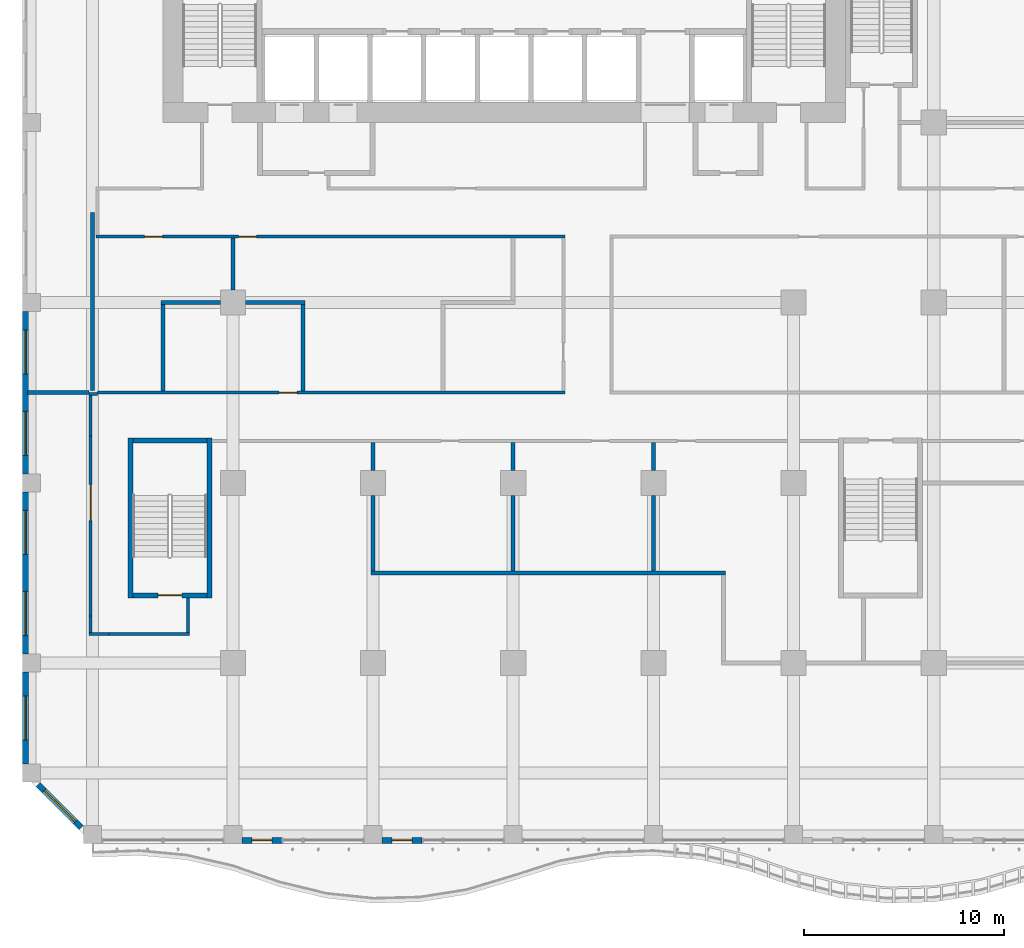
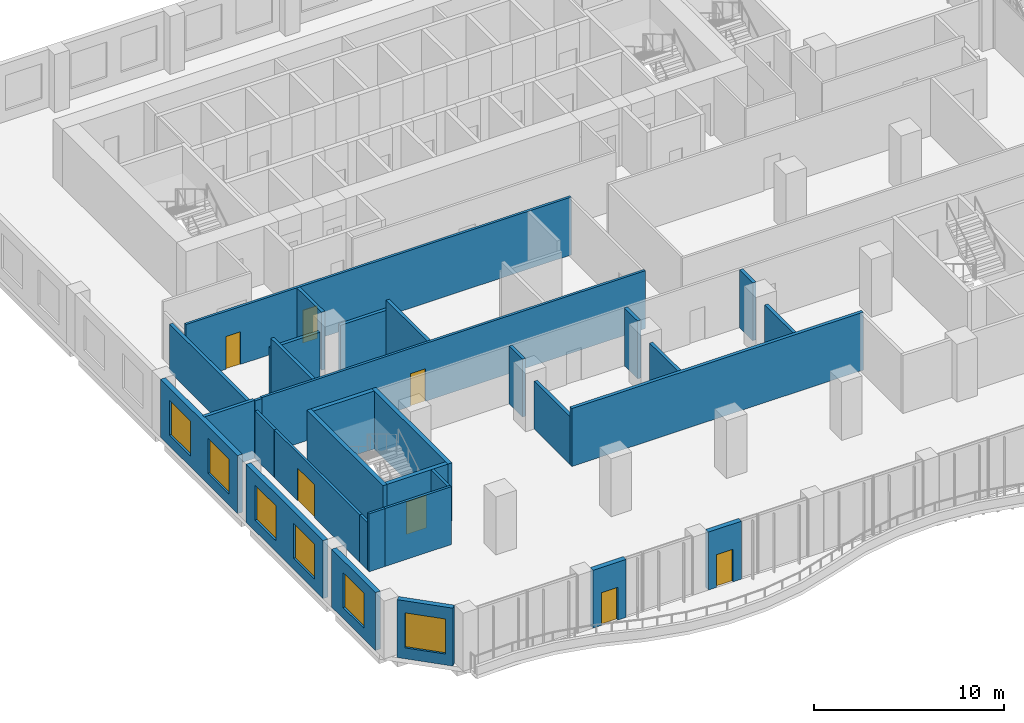
# One storey, part 10 of 25: 33 walls, 7 doors, 6 windows, 13 openings.
"""IFC4 building model written with IfcOpenShell, lengths in metres."""

from ifc_helpers import new_model, si_unit, direction, frame, frame_2d, origin, place, context, subcontext, project, spatial, rectangle, extrude, source, transform, mapped, material, layer, layer_set, type_object, element, fill, save


model = new_model("IFC4")

# Units and contexts
model_context = context("Model", 3, precision=1e-05, world=origin(), true_north=direction((0.0, 1.0)))
body_context = subcontext(model_context, "Body", "Model", "MODEL_VIEW")
ifc_project = project(units=[si_unit("LENGTHUNIT", "METRE"), si_unit("AREAUNIT", "SQUARE_METRE"), si_unit("VOLUMEUNIT", "CUBIC_METRE"), si_unit("PLANEANGLEUNIT", "RADIAN"), si_unit("MASSUNIT", "GRAM", prefix="KILO")], contexts=[model_context])

# Site, building, storey
site_placement = place(None, origin())
site = spatial("IfcSite", under=ifc_project, at=site_placement, CompositionType="ELEMENT")
building_placement = place(site_placement, origin())
building = spatial("IfcBuilding", under=site, at=building_placement, Name="Kilnfold Tower and Market Hall", CompositionType="ELEMENT")
storey_placement = place(building_placement, frame((0.0, 0.0, 67.199951171875)))
storey = spatial("IfcBuildingStorey", under=building, at=storey_placement, Name="L15", CompositionType="ELEMENT", Elevation=67.199951171875)

# Walls
ifc_material_1 = material(Name="Gypsum board on steel studs", Category="steel")
ifc_layer_1 = layer(ifc_material_1, 0.14990234375)
ifc_layer_set_1 = layer_set([ifc_layer_1], Name="Gypsum board on steel studs")
wall_type_1 = type_object("IfcWallType", Name="WALL CORRIDOR 150", PredefinedType="PARTITIONING", material=ifc_layer_set_1)
wall_1_placement = place(storey_placement, frame((-19.25, -5.572998046875, 0.0), z_axis=(0.0, 0.0, 1.0), x_axis=(-1.0, 0.0, 0.0)))
element("IfcWall", 1, at=wall_1_placement, inside=storey, type_object=wall_type_1, Name="Partition LY12.1", PredefinedType="PARTITIONING", context=body_context, shape_type="SweptSolid", body=[
    extrude(rectangle(XDim=0.427001953125, YDim=0.14990234375, at=frame_2d((0.21337890625, 0.0))), origin(), (0.0, 0.0, 1.0), 3.719970703125),
])
wall_2_placement = place(storey_placement, frame((-14.75, -17.47509765625, 0.0), z_axis=(0.0, 0.0, 1.0), x_axis=(0.0, 1.0, 0.0)))
element("IfcWall", 2, at=wall_2_placement, inside=storey, type_object=wall_type_1, Name="Partition LY12.3", PredefinedType="PARTITIONING", context=body_context, shape_type="SweptSolid", body=[
    extrude(rectangle(XDim=1.72509765625, YDim=0.14990234375, at=frame_2d((0.862548828125, 0.0))), origin(), (0.0, 0.0, 1.0), 3.719970703125),
])
wall_3_placement = place(storey_placement, frame((-18.697998046875, -17.550048828125, 0.0), z_axis=(0.0, 0.0, 1.0), x_axis=(1.0, 0.0, 0.0)))
element("IfcWall", 3, at=wall_3_placement, inside=storey, type_object=wall_type_1, Name="Partition LY12.4", PredefinedType="PARTITIONING", context=body_context, shape_type="SweptSolid", body=[
    extrude(rectangle(XDim=4.02294921875, YDim=0.14990234375, at=frame_2d((2.011474609375, 0.0))), origin(), (0.0, 0.0, 1.0), 3.719970703125),
])
wall_4_placement = place(storey_placement, frame((-19.677001953125, -17.552001953125, 0.0), z_axis=(0.0, 0.0, 1.0), x_axis=(1.0, 0.0, 0.0)))
element("IfcWall", 4, at=wall_4_placement, inside=storey, type_object=wall_type_1, Name="Partition LY12.5", PredefinedType="PARTITIONING", context=body_context, shape_type="SweptSolid", body=[
    extrude(rectangle(XDim=0.97900390625, YDim=0.14990234375, at=frame_2d((0.489501953125, 0.0))), origin(), (0.0, 0.0, 1.0), 3.719970703125),
])
wall_5_placement = place(storey_placement, frame((-19.60205078125, -17.47705078125, 0.0), z_axis=(0.0, 0.0, 1.0), x_axis=(0.0, 1.0, 0.0)))
element("IfcWall", 5, at=wall_5_placement, inside=storey, type_object=wall_type_1, Name="Partition LY12.6", PredefinedType="PARTITIONING", context=body_context, shape_type="SweptSolid", body=[
    extrude(rectangle(XDim=0.8291015625, YDim=0.14990234375, at=frame_2d((0.41455078125, 0.0))), origin(), (0.0, 0.0, 1.0), 3.070068359375),
])

# Wall, opening, door
wall_6_placement = place(storey_placement, frame((-19.60009765625, -7.652099609375, 0.0), z_axis=(0.0, 0.0, 1.0), x_axis=(0.0, -1.0, 0.0)))
wall_6 = element("IfcWall", 6, at=wall_6_placement, inside=storey, type_object=wall_type_1, Name="Partition LY12.7", PredefinedType="PARTITIONING", context=body_context, shape_type="SweptSolid", body=[
    extrude(rectangle(XDim=8.995849609375, YDim=0.14990234375, at=frame_2d((4.498046875, 0.0))), origin(), (0.0, 0.0, 1.0), 3.070068359375),
])
opening_1_placement = place(wall_6_placement, frame((2.431884765625, 0.0, 0.0)))
opening_1 = element("IfcOpeningElement", 7, at=opening_1_placement, cuts=wall_6, Name="Opening D5", PredefinedType="OPENING", context=body_context, shape_type="SweptSolid", body=[
    extrude(rectangle(XDim=1.800048828125, YDim=2.10009765625, at=frame_2d((0.89990234375, 1.050048828125))), frame((0.0, 0.0849609375, 0.0), z_axis=(0.0, -1.0, 0.0), x_axis=(1.0, 0.0, 0.0)), (0.0, 0.0, 1.0), 0.169921875),
])
ifc_material_2 = material(Name="Timber veneer door leaf in steel frame", Category="steel")
door_type_1 = type_object("IfcDoorType", Name="DOOR DOUBLE 1800 X2100", OperationType="NOTDEFINED", PredefinedType="DOOR", material=ifc_material_2)
door_1_placement = place(opening_1_placement, origin())
door_1 = element("IfcDoor", 8, at=door_1_placement, inside=storey, type_object=door_type_1, Name="Door D5", OperationType="DOUBLE_DOOR_SINGLE_SWING", OverallHeight=2.10009765625, OverallWidth=1.800048828125, PredefinedType="DOOR", context=body_context, shape_type="SweptSolid", body=[
    extrude(rectangle(XDim=1.800048828125, YDim=2.10009765625, at=frame_2d((0.89990234375, 1.050048828125))), frame((0.0, 0.02490234375, 0.0), z_axis=(0.0, -1.0, 0.0), x_axis=(1.0, 0.0, 0.0)), (0.0, 0.0, 1.0), 0.050048828125),
])
fill(opening_1, door_1)

# Wall
wall_7_placement = place(storey_placement, frame((-19.60205078125, -7.652099609375, 0.0), z_axis=(0.0, 0.0, 1.0), x_axis=(0.0, 1.0, 0.0)))
element("IfcWall", 9, at=wall_7_placement, inside=storey, type_object=wall_type_1, Name="Partition LY12.8", PredefinedType="PARTITIONING", context=body_context, shape_type="SweptSolid", body=[
    extrude(rectangle(XDim=2.004150390625, YDim=0.14990234375, at=frame_2d((1.001953125, 0.0))), origin(), (0.0, 0.0, 1.0), 3.070068359375),
])

# Wall, opening, door
wall_8_placement = place(storey_placement, frame((-19.25, -5.5, 0.0), z_axis=(0.0, 0.0, 1.0), x_axis=(1.0, 0.0, 0.0)))
wall_8 = element("IfcWall", 10, at=wall_8_placement, inside=storey, type_object=wall_type_1, Name="Partition LY12.9", PredefinedType="PARTITIONING", context=body_context, shape_type="SweptSolid", body=[
    extrude(rectangle(XDim=23.324951171875, YDim=0.14990234375, at=frame_2d((11.66259765625, 0.0))), origin(), (0.0, 0.0, 1.0), 3.719970703125),
])
opening_2_placement = place(wall_8_placement, frame((9.06005859375, 0.0, 0.0)))
opening_2 = element("IfcOpeningElement", 11, at=opening_2_placement, cuts=wall_8, Name="Opening D2", PredefinedType="OPENING", context=body_context, shape_type="SweptSolid", body=[
    extrude(rectangle(XDim=0.89990234375, YDim=2.10009765625, at=frame_2d((0.449951171875, 1.050048828125))), frame((0.0, 0.0849609375, 0.0), z_axis=(0.0, -1.0, 0.0), x_axis=(1.0, 0.0, 0.0)), (0.0, 0.0, 1.0), 0.169921875),
])
ifc_material_3 = material(Name="Timber veneer door leaf in steel frame", Category="steel")
door_type_2 = type_object("IfcDoorType", Name="DOOR ROOM 900 X2100", OperationType="NOTDEFINED", PredefinedType="DOOR", material=ifc_material_3)
door_2_placement = place(opening_2_placement, origin())
door_2 = element("IfcDoor", 12, at=door_2_placement, inside=storey, type_object=door_type_2, Name="Door D2", OperationType="SINGLE_SWING_RIGHT", OverallHeight=2.10009765625, OverallWidth=0.89990234375, PredefinedType="DOOR", context=body_context, shape_type="SweptSolid", body=[
    extrude(rectangle(XDim=0.89990234375, YDim=2.10009765625, at=frame_2d((0.449951171875, 1.050048828125))), frame((0.0, 0.02490234375, 0.0), z_axis=(0.0, -1.0, 0.0), x_axis=(1.0, 0.0, 0.0)), (0.0, 0.0, 1.0), 0.050048828125),
])
fill(opening_2, door_2)

# Wall, openings, doors
wall_9_placement = place(storey_placement, frame((-19.324951171875, 2.300048828125, 0.0), z_axis=(0.0, 0.0, 1.0), x_axis=(1.0, 0.0, 0.0)))
wall_9 = element("IfcWall", 13, at=wall_9_placement, inside=storey, type_object=wall_type_1, Name="Partition LY12.10", PredefinedType="PARTITIONING", context=body_context, shape_type="SweptSolid", body=[
    extrude(rectangle(XDim=23.39990234375, YDim=0.14990234375, at=frame_2d((11.699951171875, 0.0))), origin(), (0.0, 0.0, 1.0), 3.719970703125),
])
opening_3_placement = place(wall_9_placement, frame((2.4140625, 0.0, 0.0)))
opening_3 = element("IfcOpeningElement", 14, at=opening_3_placement, cuts=wall_9, Name="Opening D2", PredefinedType="OPENING", context=body_context, shape_type="SweptSolid", body=[
    extrude(rectangle(XDim=0.89990234375, YDim=2.10009765625, at=frame_2d((0.449951171875, 1.050048828125))), frame((0.0, 0.0849609375, 0.0), z_axis=(0.0, -1.0, 0.0), x_axis=(1.0, 0.0, 0.0)), (0.0, 0.0, 1.0), 0.169921875),
])
opening_4_placement = place(wall_9_placement, frame((7.114990234375, 0.0, 0.0)))
opening_4 = element("IfcOpeningElement", 15, at=opening_4_placement, cuts=wall_9, Name="Opening D2", PredefinedType="OPENING", context=body_context, shape_type="SweptSolid", body=[
    extrude(rectangle(XDim=0.89990234375, YDim=2.10009765625, at=frame_2d((0.449951171875, 1.050048828125))), frame((0.0, 0.0849609375, 0.0), z_axis=(0.0, -1.0, 0.0), x_axis=(1.0, 0.0, 0.0)), (0.0, 0.0, 1.0), 0.169921875),
])
door_3_placement = place(opening_3_placement, origin())
door_3 = element("IfcDoor", 16, at=door_3_placement, inside=storey, type_object=door_type_2, Name="Door D2", OperationType="SINGLE_SWING_LEFT", OverallHeight=2.10009765625, OverallWidth=0.89990234375, PredefinedType="DOOR", context=body_context, shape_type="SweptSolid", body=[
    extrude(rectangle(XDim=0.89990234375, YDim=2.10009765625, at=frame_2d((0.449951171875, 1.050048828125))), frame((0.0, 0.02490234375, 0.0), z_axis=(0.0, -1.0, 0.0), x_axis=(1.0, 0.0, 0.0)), (0.0, 0.0, 1.0), 0.050048828125),
])
fill(opening_3, door_3)
door_4_placement = place(opening_4_placement, origin())
door_4 = element("IfcDoor", 17, at=door_4_placement, inside=storey, type_object=door_type_2, Name="Door D2", OperationType="SINGLE_SWING_RIGHT", OverallHeight=2.10009765625, OverallWidth=0.89990234375, PredefinedType="DOOR", context=body_context, shape_type="SweptSolid", body=[
    extrude(rectangle(XDim=0.89990234375, YDim=2.10009765625, at=frame_2d((0.449951171875, 1.050048828125))), frame((0.0, 0.02490234375, 0.0), z_axis=(0.0, -1.0, 0.0), x_axis=(1.0, 0.0, 0.0)), (0.0, 0.0, 1.0), 0.050048828125),
])
fill(opening_4, door_4)

# Walls
ifc_material_4 = material(Name="Gypsum board on steel studs", Category="steel")
ifc_layer_2 = layer(ifc_material_4, 0.199951171875)
ifc_layer_set_2 = layer_set([ifc_layer_2], Name="Gypsum board on steel studs")
wall_type_2 = type_object("IfcWallType", Name="WALL PARTY 200", PredefinedType="PARTITIONING", material=ifc_layer_set_2)
wall_10_placement = place(storey_placement, frame((-19.677001953125, -5.5, 0.0), z_axis=(0.0, 0.0, 1.0), x_axis=(-1.0, 0.0, 0.0)))
element("IfcWall", 18, at=wall_10_placement, inside=storey, type_object=wall_type_2, Name="Partition LY12.30", PredefinedType="PARTITIONING", context=body_context, shape_type="SweptSolid", body=[
    extrude(rectangle(XDim=3.072998046875, YDim=0.199951171875, at=frame_2d((1.53662109375, 0.0))), origin(), (0.0, 0.0, 1.0), 3.719970703125),
])
wall_11_placement = place(storey_placement, frame((-5.5, -9.375, 0.0), z_axis=(0.0, 0.0, 1.0), x_axis=(0.0, 1.0, 0.0)))
element("IfcWall", 19, at=wall_11_placement, inside=storey, type_object=wall_type_2, Name="Partition LY12.31", PredefinedType="PARTITIONING", context=body_context, shape_type="SweptSolid", body=[
    extrude(rectangle(XDim=1.39892578125, YDim=0.199951171875, at=frame_2d((0.699462890625, 0.0))), origin(), (0.0, 0.0, 1.0), 3.719970703125),
])
wall_12_placement = place(storey_placement, frame((-5.5, -14.39990234375, 0.0), z_axis=(0.0, 0.0, 1.0), x_axis=(0.0, 1.0, 0.0)))
element("IfcWall", 20, at=wall_12_placement, inside=storey, type_object=wall_type_2, Name="Partition LY12.32", PredefinedType="PARTITIONING", context=body_context, shape_type="SweptSolid", body=[
    extrude(rectangle(XDim=3.77490234375, YDim=0.199951171875, at=frame_2d((1.887451171875, 0.0))), origin(), (0.0, 0.0, 1.0), 3.070068359375),
])
wall_13_placement = place(storey_placement, frame((-5.60009765625, -14.5, 0.0), z_axis=(0.0, 0.0, 1.0), x_axis=(1.0, 0.0, 0.0)))
element("IfcWall", 21, at=wall_13_placement, inside=storey, type_object=wall_type_2, Name="Partition LY12.33", PredefinedType="PARTITIONING", context=body_context, shape_type="SweptSolid", body=[
    extrude(rectangle(XDim=17.7001953125, YDim=0.199951171875, at=frame_2d((8.85009765625, 0.0))), origin(), (0.0, 0.0, 1.0), 3.719970703125),
])
wall_14_placement = place(storey_placement, frame((-19.5, 3.5, 0.0), z_axis=(0.0, 0.0, 1.0), x_axis=(0.0, -1.0, 0.0)))
element("IfcWall", 22, at=wall_14_placement, inside=storey, type_object=wall_type_2, Name="Partition LY12.38", PredefinedType="PARTITIONING", context=body_context, shape_type="SweptSolid", body=[
    extrude(rectangle(XDim=8.89990234375, YDim=0.199951171875, at=frame_2d((4.449951171875, 0.0))), origin(), (0.0, 0.0, 1.0), 3.070068359375),
])
wall_15_placement = place(storey_placement, frame((-16.10009765625, -1.0, 0.0), z_axis=(0.0, 0.0, 1.0), x_axis=(1.0, 0.0, 0.0)))
element("IfcWall", 23, at=wall_15_placement, inside=storey, type_object=wall_type_2, Name="Partition LY12.39", PredefinedType="PARTITIONING", context=body_context, shape_type="SweptSolid", body=[
    extrude(rectangle(XDim=2.97509765625, YDim=0.199951171875, at=frame_2d((1.487548828125, 0.0))), origin(), (0.0, 0.0, 1.0), 3.070068359375),
])
wall_16_placement = place(storey_placement, frame((-16.0, -5.424072265625, 0.0), z_axis=(0.0, 0.0, 1.0), x_axis=(0.0, 1.0, 0.0)))
element("IfcWall", 24, at=wall_16_placement, inside=storey, type_object=wall_type_2, Name="Partition LY12.40", PredefinedType="PARTITIONING", context=body_context, shape_type="SweptSolid", body=[
    extrude(rectangle(XDim=4.323974609375, YDim=0.199951171875, at=frame_2d((2.162109375, 0.0))), origin(), (0.0, 0.0, 1.0), 3.719970703125),
])
wall_17_placement = place(storey_placement, frame((-12.5, -0.375, 0.0), z_axis=(0.0, 0.0, 1.0), x_axis=(0.0, 1.0, 0.0)))
element("IfcWall", 25, at=wall_17_placement, inside=storey, type_object=wall_type_2, Name="Partition LY12.41", PredefinedType="PARTITIONING", context=body_context, shape_type="SweptSolid", body=[
    extrude(rectangle(XDim=2.59912109375, YDim=0.199951171875, at=frame_2d((1.299560546875, 0.0))), origin(), (0.0, 0.0, 1.0), 3.719970703125),
])
wall_18_placement = place(storey_placement, frame((-9.0, -5.424072265625, 0.0), z_axis=(0.0, 0.0, 1.0), x_axis=(0.0, 1.0, 0.0)))
element("IfcWall", 26, at=wall_18_placement, inside=storey, type_object=wall_type_2, Name="Partition LY12.44", PredefinedType="PARTITIONING", context=body_context, shape_type="SweptSolid", body=[
    extrude(rectangle(XDim=4.323974609375, YDim=0.199951171875, at=frame_2d((2.162109375, 0.0))), origin(), (0.0, 0.0, 1.0), 3.719970703125),
])
wall_19_placement = place(storey_placement, frame((-11.875, -1.0, 0.0), z_axis=(0.0, 0.0, 1.0), x_axis=(1.0, 0.0, 0.0)))
element("IfcWall", 27, at=wall_19_placement, inside=storey, type_object=wall_type_2, Name="Partition LY12.45", PredefinedType="PARTITIONING", context=body_context, shape_type="SweptSolid", body=[
    extrude(rectangle(XDim=2.97509765625, YDim=0.199951171875, at=frame_2d((1.487548828125, 0.0))), origin(), (0.0, 0.0, 1.0), 3.070068359375),
])
wall_20_placement = place(storey_placement, frame((1.5, -9.375, 0.0), z_axis=(0.0, 0.0, 1.0), x_axis=(0.0, 1.0, 0.0)))
element("IfcWall", 28, at=wall_20_placement, inside=storey, type_object=wall_type_2, Name="Partition LY12.49", PredefinedType="PARTITIONING", context=body_context, shape_type="SweptSolid", body=[
    extrude(rectangle(XDim=1.39892578125, YDim=0.199951171875, at=frame_2d((0.699462890625, 0.0))), origin(), (0.0, 0.0, 1.0), 3.719970703125),
])
wall_21_placement = place(storey_placement, frame((1.5, -14.39990234375, 0.0), z_axis=(0.0, 0.0, 1.0), x_axis=(0.0, 1.0, 0.0)))
element("IfcWall", 29, at=wall_21_placement, inside=storey, type_object=wall_type_2, Name="Partition LY12.50", PredefinedType="PARTITIONING", context=body_context, shape_type="SweptSolid", body=[
    extrude(rectangle(XDim=3.77490234375, YDim=0.199951171875, at=frame_2d((1.887451171875, 0.0))), origin(), (0.0, 0.0, 1.0), 3.070068359375),
])
wall_22_placement = place(storey_placement, frame((8.5, -9.375, 0.0), z_axis=(0.0, 0.0, 1.0), x_axis=(0.0, 1.0, 0.0)))
element("IfcWall", 30, at=wall_22_placement, inside=storey, type_object=wall_type_2, Name="Partition LY12.51", PredefinedType="PARTITIONING", context=body_context, shape_type="SweptSolid", body=[
    extrude(rectangle(XDim=1.39892578125, YDim=0.199951171875, at=frame_2d((0.699462890625, 0.0))), origin(), (0.0, 0.0, 1.0), 3.719970703125),
])
wall_23_placement = place(storey_placement, frame((8.5, -14.39990234375, 0.0), z_axis=(0.0, 0.0, 1.0), x_axis=(0.0, 1.0, 0.0)))
element("IfcWall", 31, at=wall_23_placement, inside=storey, type_object=wall_type_2, Name="Partition LY12.52", PredefinedType="PARTITIONING", context=body_context, shape_type="SweptSolid", body=[
    extrude(rectangle(XDim=3.77490234375, YDim=0.199951171875, at=frame_2d((1.887451171875, 0.0))), origin(), (0.0, 0.0, 1.0), 3.070068359375),
])

# Wall, opening, door
ifc_material_5 = material(Name="Concrete C80", Category="concrete")
ifc_layer_3 = layer(ifc_material_5, 0.25)
ifc_layer_set_3 = layer_set([ifc_layer_3], Name="Concrete C80")
wall_type_3 = type_object("IfcWallType", Name="CORE WALL 250 C80", PredefinedType="SHEAR", material=ifc_layer_set_3)
shared_shape_1 = source(origin(), body_context, "Body", "SweptSolid", [
    extrude(rectangle(XDim=3.699951171875, YDim=0.25, at=frame_2d((1.85009765625, 0.0))), origin(), (0.0, 0.0, 1.0), 3.719970703125),
])
wall_24_placement = place(storey_placement, frame((-17.5, -15.625, 0.0), z_axis=(0.0, 0.0, 1.0), x_axis=(1.0, 0.0, 0.0)))
wall_24 = element("IfcWall", 32, at=wall_24_placement, inside=storey, type_object=wall_type_3, Name="Stair enclosure ST3", PredefinedType="SHEAR", context=body_context, shape_type="MappedRepresentation", body=[
    mapped(shared_shape_1, transform((0.0, 0.0, 0.0))),
])
opening_5_placement = place(wall_24_placement, frame((1.25, 0.0, 0.0)))
opening_5 = element("IfcOpeningElement", 33, at=opening_5_placement, cuts=wall_24, Name="Opening SD1", PredefinedType="OPENING", context=body_context, shape_type="SweptSolid", body=[
    extrude(rectangle(XDim=1.199951171875, YDim=2.10009765625, at=frame_2d((0.60009765625, 1.050048828125))), frame((0.0, 0.135009765625, 0.0), z_axis=(0.0, -1.0, 0.0), x_axis=(1.0, 0.0, 0.0)), (0.0, 0.0, 1.0), 0.27001953125),
])
ifc_material_6 = material(Name="Steel door set with fire-resisting leaf", Category="steel")
door_type_3 = type_object("IfcDoorType", Name="STAIR FLOOR DOOR 1200X2100", OperationType="NOTDEFINED", PredefinedType="DOOR", material=ifc_material_6)
door_5_placement = place(opening_5_placement, origin())
door_5 = element("IfcDoor", 34, at=door_5_placement, inside=storey, type_object=door_type_3, Name="Exit stair ST3 door", OperationType="DOUBLE_DOOR_SINGLE_SWING", OverallHeight=2.10009765625, OverallWidth=1.199951171875, PredefinedType="DOOR", context=body_context, shape_type="SweptSolid", body=[
    extrude(rectangle(XDim=1.199951171875, YDim=2.10009765625, at=frame_2d((0.60009765625, 1.050048828125))), frame((0.0, 0.02490234375, 0.0), z_axis=(0.0, -1.0, 0.0), x_axis=(1.0, 0.0, 0.0)), (0.0, 0.0, 1.0), 0.050048828125),
])
fill(opening_5, door_5)

# Walls
wall_25_placement = place(storey_placement, frame((-17.5, -7.875, 0.0), z_axis=(0.0, 0.0, 1.0), x_axis=(1.0, 0.0, 0.0)))
element("IfcWall", 35, at=wall_25_placement, inside=storey, type_object=wall_type_3, Name="Stair enclosure ST3", PredefinedType="SHEAR", context=body_context, shape_type="MappedRepresentation", body=[
    mapped(shared_shape_1, transform((0.0, 0.0, 0.0))),
])
shared_shape_2 = source(origin(), body_context, "Body", "SweptSolid", [
    extrude(rectangle(XDim=8.0, YDim=0.25, at=frame_2d((4.0, 0.0))), origin(), (0.0, 0.0, 1.0), 3.719970703125),
])
for number, where, z_axis, x_axis, name in (
    (36, (-17.625, -15.75, 0.0), (0.0, 0.0, 1.0), (0.0, 1.0, 0.0), "Stair enclosure ST3"),
    (37, (-13.675048828125, -15.75, 0.0), (0.0, 0.0, 1.0), (0.0, 1.0, 0.0), "Stair enclosure ST3"),
):
    element("IfcWall", number, at=place(storey_placement, frame(where, z_axis=z_axis, x_axis=x_axis)), inside=storey, type_object=wall_type_3, Name=name, PredefinedType="SHEAR", context=body_context, shape_type="MappedRepresentation", body=[
        mapped(shared_shape_2, transform((0.0, 0.0, 0.0))),
    ])

# Wall, opening, door
ifc_material_7 = material(Name="Precast concrete C50/60", Category="concrete")
ifc_layer_4 = layer(ifc_material_7, 0.300048828125)
ifc_layer_set_4 = layer_set([ifc_layer_4], Name="Precast concrete C50/60")
wall_type_4 = type_object("IfcWallType", Name="PRECAST WALL 300", PredefinedType="SOLIDWALL", material=ifc_layer_set_4)
shared_shape_3 = source(origin(), body_context, "Body", "SweptSolid", [
    extrude(rectangle(XDim=2.0, YDim=0.300048828125, at=frame_2d((1.0, 0.0))), origin(), (0.0, 0.0, 1.0), 3.719970703125),
])
wall_26_placement = place(storey_placement, frame((-12.050048828125, -27.85009765625, 0.0), z_axis=(0.0, 0.0, 1.0), x_axis=(1.0, 0.0, 0.0)))
wall_26 = element("IfcWall", 38, at=wall_26_placement, inside=storey, type_object=wall_type_4, Name="External wall L15 S", PredefinedType="SOLIDWALL", context=body_context, shape_type="MappedRepresentation", body=[
    mapped(shared_shape_3, transform((0.0, 0.0, 0.0))),
])
opening_6_placement = place(wall_26_placement, frame((0.5, 0.0, 0.0)))
opening_6 = element("IfcOpeningElement", 39, at=opening_6_placement, cuts=wall_26, Name="Opening BD1", PredefinedType="OPENING", context=body_context, shape_type="SweptSolid", body=[
    extrude(rectangle(XDim=1.0, YDim=2.10009765625, at=frame_2d((0.5, 1.050048828125))), frame((0.0, 0.16015625, 0.0), z_axis=(0.0, -1.0, 0.0), x_axis=(1.0, 0.0, 0.0)), (0.0, 0.0, 1.0), 0.320068359375),
])
ifc_material_8 = material(Name="Aluminium frame and double glazing", Category="aluminium")
door_type_4 = type_object("IfcDoorType", Name="BALCONY DOOR 1000X2100", OperationType="NOTDEFINED", PredefinedType="DOOR", material=ifc_material_8)
door_6_placement = place(opening_6_placement, origin())
door_6 = element("IfcDoor", 40, at=door_6_placement, inside=storey, type_object=door_type_4, Name="Balcony door BD1 L15 S-1", OperationType="SINGLE_SWING_LEFT", OverallHeight=2.10009765625, OverallWidth=1.0, PredefinedType="DOOR", context=body_context, shape_type="SweptSolid", body=[
    extrude(rectangle(XDim=1.0, YDim=2.10009765625, at=frame_2d((0.5, 1.050048828125))), frame((0.0, 0.02490234375, 0.0), z_axis=(0.0, -1.0, 0.0), x_axis=(1.0, 0.0, 0.0)), (0.0, 0.0, 1.0), 0.050048828125),
])
fill(opening_6, door_6)

wall_27_placement = place(storey_placement, frame((-5.050048828125, -27.85009765625, 0.0), z_axis=(0.0, 0.0, 1.0), x_axis=(1.0, 0.0, 0.0)))
wall_27 = element("IfcWall", 41, at=wall_27_placement, inside=storey, type_object=wall_type_4, Name="External wall L15 S", PredefinedType="SOLIDWALL", context=body_context, shape_type="MappedRepresentation", body=[
    mapped(shared_shape_3, transform((0.0, 0.0, 0.0))),
])
opening_7_placement = place(wall_27_placement, frame((0.5, 0.0, 0.0)))
opening_7 = element("IfcOpeningElement", 42, at=opening_7_placement, cuts=wall_27, Name="Opening BD1", PredefinedType="OPENING", context=body_context, shape_type="SweptSolid", body=[
    extrude(rectangle(XDim=1.0, YDim=2.10009765625, at=frame_2d((0.5, 1.050048828125))), frame((0.0, 0.16015625, 0.0), z_axis=(0.0, -1.0, 0.0), x_axis=(1.0, 0.0, 0.0)), (0.0, 0.0, 1.0), 0.320068359375),
])
door_7_placement = place(opening_7_placement, origin())
door_7 = element("IfcDoor", 43, at=door_7_placement, inside=storey, type_object=door_type_4, Name="Balcony door BD1 L15 S-1", OperationType="SINGLE_SWING_LEFT", OverallHeight=2.10009765625, OverallWidth=1.0, PredefinedType="DOOR", context=body_context, shape_type="SweptSolid", body=[
    extrude(rectangle(XDim=1.0, YDim=2.10009765625, at=frame_2d((0.5, 1.050048828125))), frame((0.0, 0.02490234375, 0.0), z_axis=(0.0, -1.0, 0.0), x_axis=(1.0, 0.0, 0.0)), (0.0, 0.0, 1.0), 0.050048828125),
])
fill(opening_7, door_7)

# Wall, openings, windows
shared_shape_4 = source(origin(), body_context, "Body", "SweptSolid", [
    extrude(rectangle(XDim=8.10009765625, YDim=0.300048828125, at=frame_2d((4.050048828125, 0.0))), origin(), (0.0, 0.0, 1.0), 3.719970703125),
])
wall_28_placement = place(storey_placement, frame((-22.85009765625, -1.449951171875, 0.0), z_axis=(0.0, 0.0, 1.0), x_axis=(0.0, -1.0, 0.0)))
wall_28 = element("IfcWall", 44, at=wall_28_placement, inside=storey, type_object=wall_type_4, Name="External wall L15 W", PredefinedType="SOLIDWALL", context=body_context, shape_type="MappedRepresentation", body=[
    mapped(shared_shape_4, transform((0.0, 0.0, 0.0))),
])
opening_8_placement = place(wall_28_placement, frame((0.925048828125, 0.0, 0.699951171875)))
opening_8 = element("IfcOpeningElement", 45, at=opening_8_placement, cuts=wall_28, Name="Opening W1", PredefinedType="OPENING", context=body_context, shape_type="SweptSolid", body=[
    extrude(rectangle(XDim=2.199951171875, YDim=2.25, at=frame_2d((1.10009765625, 1.125))), frame((0.0, 0.16015625, 0.0), z_axis=(0.0, -1.0, 0.0), x_axis=(1.0, 0.0, 0.0)), (0.0, 0.0, 1.0), 0.320068359375),
])
opening_9_placement = place(wall_28_placement, frame((4.97509765625, 0.0, 0.699951171875)))
opening_9 = element("IfcOpeningElement", 46, at=opening_9_placement, cuts=wall_28, Name="Opening W1", PredefinedType="OPENING", context=body_context, shape_type="SweptSolid", body=[
    extrude(rectangle(XDim=2.199951171875, YDim=2.25, at=frame_2d((1.10009765625, 1.125))), frame((0.0, 0.16015625, 0.0), z_axis=(0.0, -1.0, 0.0), x_axis=(1.0, 0.0, 0.0)), (0.0, 0.0, 1.0), 0.320068359375),
])
ifc_material_9 = material(Name="Aluminium frame and double glazing", Category="aluminium")
window_type = type_object("IfcWindowType", Name="WINDOW W1 2200X2250", PartitioningType="SINGLE_PANEL", PredefinedType="WINDOW", material=ifc_material_9)
window_1_placement = place(opening_8_placement, origin())
window_1 = element("IfcWindow", 47, at=window_1_placement, inside=storey, type_object=window_type, Name="Window W1 L15 W-1", OverallHeight=2.25, OverallWidth=2.199951171875, PartitioningType="SINGLE_PANEL", PredefinedType="WINDOW", context=body_context, shape_type="SweptSolid", body=[
    extrude(rectangle(XDim=2.199951171875, YDim=2.25, at=frame_2d((1.10009765625, 1.125))), frame((0.0, 0.030029296875, 0.0), z_axis=(0.0, -1.0, 0.0), x_axis=(1.0, 0.0, 0.0)), (0.0, 0.0, 1.0), 0.06005859375),
])
fill(opening_8, window_1)
window_2_placement = place(opening_9_placement, origin())
window_2 = element("IfcWindow", 48, at=window_2_placement, inside=storey, type_object=window_type, Name="Window W1 L15 W-2", OverallHeight=2.25, OverallWidth=2.199951171875, PartitioningType="SINGLE_PANEL", PredefinedType="WINDOW", context=body_context, shape_type="SweptSolid", body=[
    extrude(rectangle(XDim=2.199951171875, YDim=2.25, at=frame_2d((1.10009765625, 1.125))), frame((0.0, 0.030029296875, 0.0), z_axis=(0.0, -1.0, 0.0), x_axis=(1.0, 0.0, 0.0)), (0.0, 0.0, 1.0), 0.06005859375),
])
fill(opening_9, window_2)

wall_29_placement = place(storey_placement, frame((-22.85009765625, -10.449951171875, 0.0), z_axis=(0.0, 0.0, 1.0), x_axis=(0.0, -1.0, 0.0)))
wall_29 = element("IfcWall", 49, at=wall_29_placement, inside=storey, type_object=wall_type_4, Name="External wall L15 W", PredefinedType="SOLIDWALL", context=body_context, shape_type="MappedRepresentation", body=[
    mapped(shared_shape_4, transform((0.0, 0.0, 0.0))),
])
opening_10_placement = place(wall_29_placement, frame((0.925048828125, 0.0, 0.699951171875)))
opening_10 = element("IfcOpeningElement", 50, at=opening_10_placement, cuts=wall_29, Name="Opening W1", PredefinedType="OPENING", context=body_context, shape_type="SweptSolid", body=[
    extrude(rectangle(XDim=2.199951171875, YDim=2.25, at=frame_2d((1.10009765625, 1.125))), frame((0.0, 0.16015625, 0.0), z_axis=(0.0, -1.0, 0.0), x_axis=(1.0, 0.0, 0.0)), (0.0, 0.0, 1.0), 0.320068359375),
])
opening_11_placement = place(wall_29_placement, frame((4.97509765625, 0.0, 0.699951171875)))
opening_11 = element("IfcOpeningElement", 51, at=opening_11_placement, cuts=wall_29, Name="Opening W1", PredefinedType="OPENING", context=body_context, shape_type="SweptSolid", body=[
    extrude(rectangle(XDim=2.199951171875, YDim=2.25, at=frame_2d((1.10009765625, 1.125))), frame((0.0, 0.16015625, 0.0), z_axis=(0.0, -1.0, 0.0), x_axis=(1.0, 0.0, 0.0)), (0.0, 0.0, 1.0), 0.320068359375),
])
window_3_placement = place(opening_10_placement, origin())
window_3 = element("IfcWindow", 52, at=window_3_placement, inside=storey, type_object=window_type, Name="Window W1 L15 W-1", OverallHeight=2.25, OverallWidth=2.199951171875, PartitioningType="SINGLE_PANEL", PredefinedType="WINDOW", context=body_context, shape_type="SweptSolid", body=[
    extrude(rectangle(XDim=2.199951171875, YDim=2.25, at=frame_2d((1.10009765625, 1.125))), frame((0.0, 0.030029296875, 0.0), z_axis=(0.0, -1.0, 0.0), x_axis=(1.0, 0.0, 0.0)), (0.0, 0.0, 1.0), 0.06005859375),
])
fill(opening_10, window_3)
window_4_placement = place(opening_11_placement, origin())
window_4 = element("IfcWindow", 53, at=window_4_placement, inside=storey, type_object=window_type, Name="Window W1 L15 W-2", OverallHeight=2.25, OverallWidth=2.199951171875, PartitioningType="SINGLE_PANEL", PredefinedType="WINDOW", context=body_context, shape_type="SweptSolid", body=[
    extrude(rectangle(XDim=2.199951171875, YDim=2.25, at=frame_2d((1.10009765625, 1.125))), frame((0.0, 0.030029296875, 0.0), z_axis=(0.0, -1.0, 0.0), x_axis=(1.0, 0.0, 0.0)), (0.0, 0.0, 1.0), 0.06005859375),
])
fill(opening_11, window_4)

# Wall, opening, window
shared_shape_5 = source(origin(), body_context, "Body", "SweptSolid", [
    extrude(rectangle(XDim=4.60009765625, YDim=0.300048828125, at=frame_2d((2.300048828125, 0.0))), origin(), (0.0, 0.0, 1.0), 3.719970703125),
])
wall_30_placement = place(storey_placement, frame((-22.85009765625, -19.449951171875, 0.0), z_axis=(0.0, 0.0, 1.0), x_axis=(0.0, -1.0, 0.0)))
wall_30 = element("IfcWall", 54, at=wall_30_placement, inside=storey, type_object=wall_type_4, Name="External wall L15 W", PredefinedType="SOLIDWALL", context=body_context, shape_type="MappedRepresentation", body=[
    mapped(shared_shape_5, transform((0.0, 0.0, 0.0))),
])
opening_12_placement = place(wall_30_placement, frame((1.199951171875, 0.0, 0.699951171875)))
opening_12 = element("IfcOpeningElement", 55, at=opening_12_placement, cuts=wall_30, Name="Opening W1", PredefinedType="OPENING", context=body_context, shape_type="SweptSolid", body=[
    extrude(rectangle(XDim=2.199951171875, YDim=2.25, at=frame_2d((1.10009765625, 1.125))), frame((0.0, 0.16015625, 0.0), z_axis=(0.0, -1.0, 0.0), x_axis=(1.0, 0.0, 0.0)), (0.0, 0.0, 1.0), 0.320068359375),
])
window_5_placement = place(opening_12_placement, origin())
window_5 = element("IfcWindow", 56, at=window_5_placement, inside=storey, type_object=window_type, Name="Window W1 L15 W-1", OverallHeight=2.25, OverallWidth=2.199951171875, PartitioningType="SINGLE_PANEL", PredefinedType="WINDOW", context=body_context, shape_type="SweptSolid", body=[
    extrude(rectangle(XDim=2.199951171875, YDim=2.25, at=frame_2d((1.10009765625, 1.125))), frame((0.0, 0.030029296875, 0.0), z_axis=(0.0, -1.0, 0.0), x_axis=(1.0, 0.0, 0.0)), (0.0, 0.0, 1.0), 0.06005859375),
])
fill(opening_12, window_5)

shared_shape_6 = source(origin(), body_context, "Body", "SweptSolid", [
    extrude(rectangle(XDim=3.040771484375, YDim=0.300048828125, at=frame_2d((1.5205078125, 0.0))), origin(), (0.0, 0.0, 1.0), 3.719970703125),
])
wall_31_placement = place(storey_placement, frame((-22.218994140625, -25.06884765625, 0.0), z_axis=(0.0, 0.0, 1.0), x_axis=(0.707106781187, -0.707106781187, 0.0)))
wall_31 = element("IfcWall", 57, at=wall_31_placement, inside=storey, type_object=wall_type_4, Name="External wall L15 SW", PredefinedType="SOLIDWALL", context=body_context, shape_type="MappedRepresentation", body=[
    mapped(shared_shape_6, transform((0.0, 0.0, 0.0))),
])
opening_13_placement = place(wall_31_placement, frame((0.42041015625, 0.0, 0.699951171875)))
opening_13 = element("IfcOpeningElement", 58, at=opening_13_placement, cuts=wall_31, Name="Opening W1", PredefinedType="OPENING", context=body_context, shape_type="SweptSolid", body=[
    extrude(rectangle(XDim=2.199951171875, YDim=2.25, at=frame_2d((1.10009765625, 1.125))), frame((0.0, 0.16015625, 0.0), z_axis=(0.0, -1.0, 0.0), x_axis=(1.0, 0.0, 0.0)), (0.0, 0.0, 1.0), 0.320068359375),
])
window_6_placement = place(opening_13_placement, origin())
window_6 = element("IfcWindow", 59, at=window_6_placement, inside=storey, type_object=window_type, Name="Window W1 L15 SW-1", OverallHeight=2.25, OverallWidth=2.199951171875, PartitioningType="SINGLE_PANEL", PredefinedType="WINDOW", context=body_context, shape_type="SweptSolid", body=[
    extrude(rectangle(XDim=2.199951171875, YDim=2.25, at=frame_2d((1.10009765625, 1.125))), frame((0.0, 0.030029296875, 0.0), z_axis=(0.0, -1.0, 0.0), x_axis=(1.0, 0.0, 0.0)), (0.0, 0.0, 1.0), 0.06005859375),
])
fill(opening_13, window_6)

save(model, "model.ifc")
